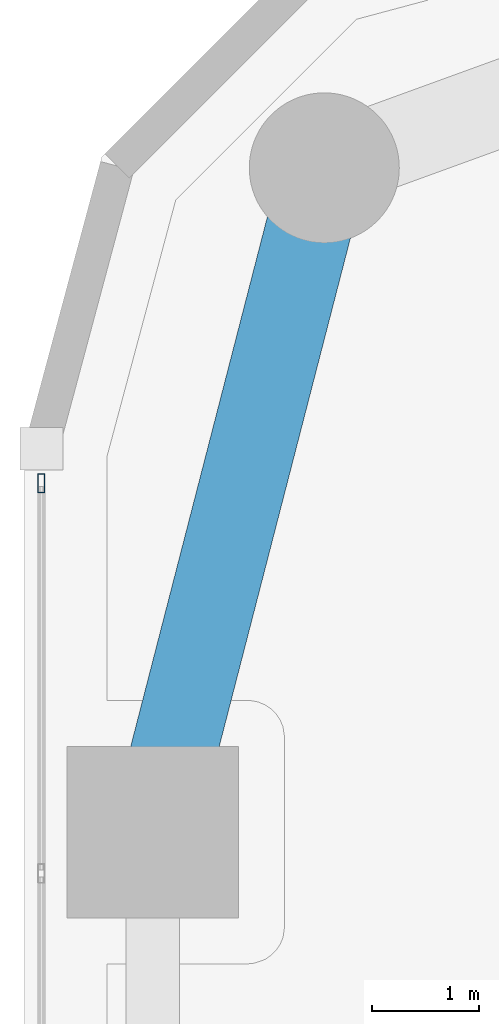
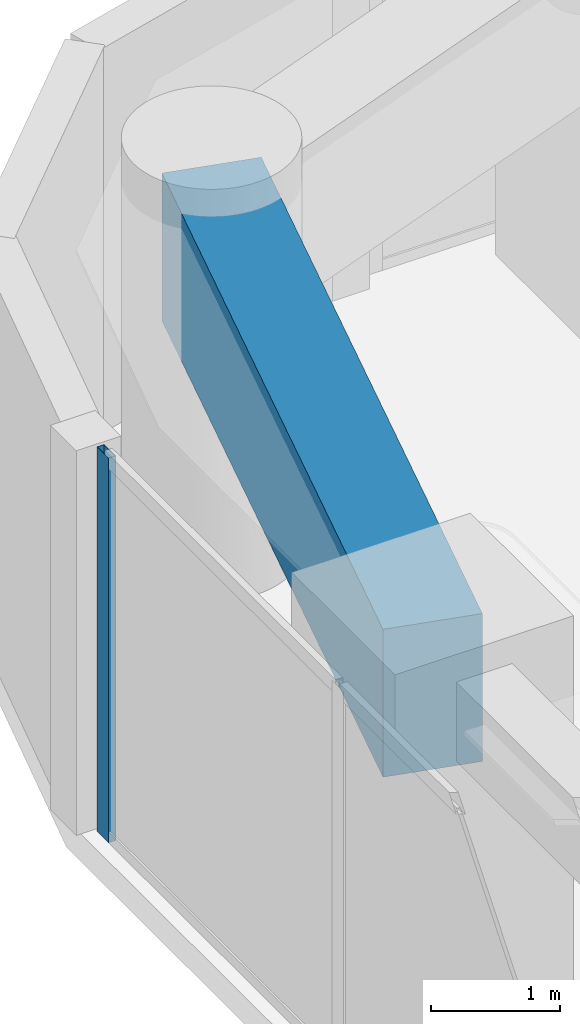
# One storey, part 14 of 28: 1 beam, 1 member, 1 element without a shape of its own.
"""IFC4 building model written with IfcOpenShell, lengths in metres."""

from ifc_helpers import new_model, si_unit, direction, frame, origin, origin_2d, place, context, subcontext, project, spatial, rectangle, hollow_rectangle, extrude, material, layer, layer_set, material_profile, profile_set, type_object, element, aggregate, save


model = new_model("IFC4")

# Units and contexts
model_context = context("Model", 3, precision=1e-05, world=origin(), true_north=direction((0.0, 1.0)))
body_context = subcontext(model_context, "Body", "Model", "MODEL_VIEW")
ifc_project = project(units=[si_unit("LENGTHUNIT", "METRE"), si_unit("AREAUNIT", "SQUARE_METRE"), si_unit("VOLUMEUNIT", "CUBIC_METRE"), si_unit("PLANEANGLEUNIT", "RADIAN"), si_unit("MASSUNIT", "GRAM", prefix="KILO")], contexts=[model_context])

# Site, building, storey
site_placement = place(None, origin())
site = spatial("IfcSite", under=ifc_project, at=site_placement, CompositionType="ELEMENT")
building_placement = place(site_placement, origin())
building = spatial("IfcBuilding", under=site, at=building_placement, Name="Kiyonajd Concourse Tower", CompositionType="ELEMENT")
storey_placement = place(building_placement, frame((0.0, 0.0, 41.10009765625)))
storey = spatial("IfcBuildingStorey", under=building, at=storey_placement, Name="L11", CompositionType="ELEMENT", Elevation=41.10009765625)

# Beam
ifc_material_1 = material(Name="Concrete C60/75", Category="concrete")
ifc_material_profile_1 = material_profile(ifc_material_1, rectangle(XDim=0.800048828125, YDim=1.39990234375, at=origin_2d()), Name="RCBM-800x1400")
ifc_profile_set_1 = profile_set([ifc_material_profile_1], Name="Concrete C60/75")
beam_type = type_object("IfcBeamType", Name="BM-XFER-RC", PredefinedType="BEAM", material=ifc_profile_set_1)
beam_placement = place(storey_placement, frame((20.800048828125, 59.60009765625, 2.93994140625), z_axis=(-0.249884937687, -0.968275538221, 0.0), x_axis=(0.968275538221, -0.249884937687, 0.0)))
element("IfcBeam", 1, at=beam_placement, inside=storey, type_object=beam_type, Name="L11 Perimeter Bundled Tube Spandrel", PredefinedType="BEAM", context=body_context, shape_type="SweptSolid", body=[
    extrude(rectangle(XDim=0.800048828125, YDim=1.39990234375, at=origin_2d()), origin(), (0.0, 0.0, 1.0), 6.4033203125),
])

# Curtain wall, member
ifc_material_2 = material(Name="Thermally Broken Anodised Aluminium", Category="aluminium")
ifc_layer = layer(ifc_material_2, 0.179931640625)
ifc_layer_set = layer_set([ifc_layer], Name="Thermally Broken Anodised Aluminium")
curtain_wall_type = type_object("IfcCurtainWallType", Name="CW-SYS-02", PredefinedType="NOTDEFINED", material=ifc_layer_set)
curtain_wall_placement = place(storey_placement, origin())
curtain_wall = element("IfcCurtainWall", 2, at=curtain_wall_placement, inside=storey, type_object=curtain_wall_type, Name="L11 Unitised Curtain Wall CW2", PredefinedType="NOTDEFINED")
ifc_material_profile_2 = material_profile(ifc_material_2, hollow_rectangle(XDim=0.06494140625, YDim=0.179931640625, WallThickness=0.00390625, at=origin_2d()), Name="MULL-65x180")
ifc_profile_set_2 = profile_set([ifc_material_profile_2], Name="Thermally Broken Anodised Aluminium")
member_type = type_object("IfcMemberType", Name="MB-CW-MULL1", PredefinedType="MULLION", material=ifc_profile_set_2)
member_placement = place(storey_placement, frame((18.159912109375, 56.656494140625, 0.0), z_axis=(0.0, 0.0, 1.0), x_axis=(-1.0, 0.0, 0.0)))
member = element("IfcMember", 3, at=member_placement, type_object=member_type, Name="CW2 mullion 7", PredefinedType="MULLION", context=body_context, shape_type="SweptSolid", body=[
    extrude(hollow_rectangle(XDim=0.06494140625, YDim=0.179931640625, WallThickness=0.00390625, at=origin_2d()), origin(), (0.0, 0.0, 1.0), 3.639892578125),
])
aggregate(curtain_wall, [member])

save(model, "model.ifc")
